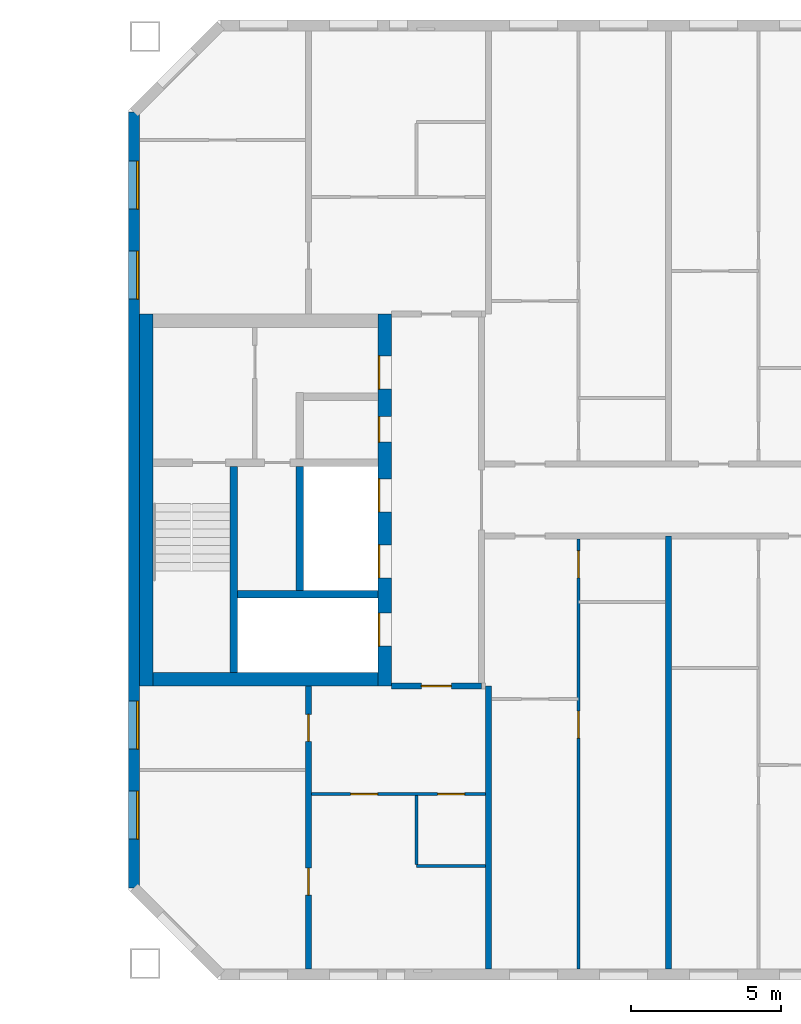
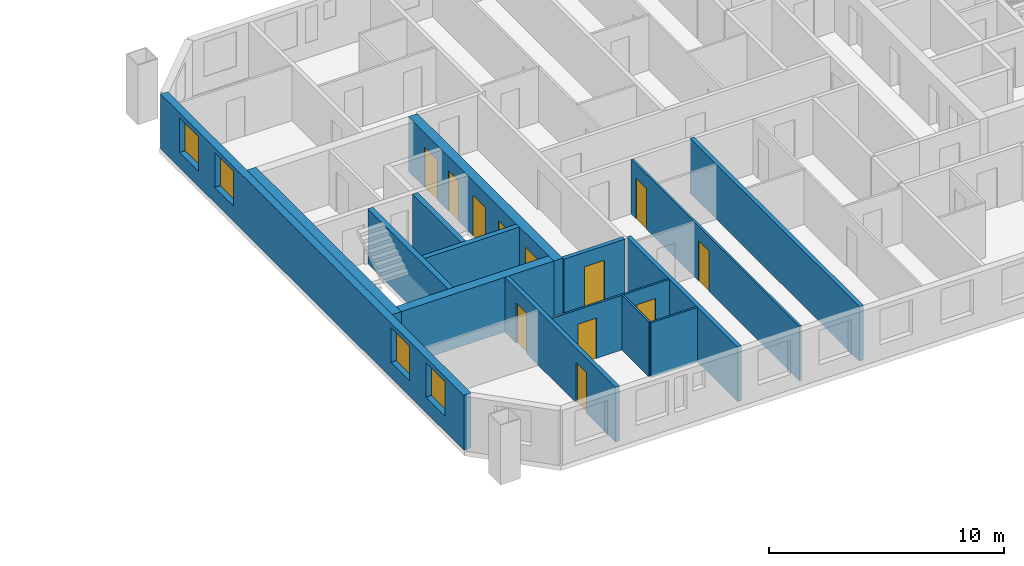
# One storey, part 9 of 16: 15 walls, 12 doors, 4 windows, 16 openings.
"""IFC4 building model written with IfcOpenShell, lengths in metres."""

from ifc_helpers import new_model, si_unit, direction, frame, frame_2d, origin, place, context, subcontext, project, spatial, rectangle, extrude, material, layer, layer_set, type_object, element, fill, save


model = new_model("IFC4")

# Units and contexts
model_context = context("Model", 3, precision=1e-05, world=origin(), true_north=direction((0.0, 1.0)))
body_context = subcontext(model_context, "Body", "Model", "MODEL_VIEW")
ifc_project = project(units=[si_unit("LENGTHUNIT", "METRE"), si_unit("AREAUNIT", "SQUARE_METRE"), si_unit("VOLUMEUNIT", "CUBIC_METRE"), si_unit("PLANEANGLEUNIT", "RADIAN"), si_unit("MASSUNIT", "GRAM", prefix="KILO")], contexts=[model_context])

# Site, building, storey
site_placement = place(None, origin())
site = spatial("IfcSite", under=ifc_project, at=site_placement, CompositionType="ELEMENT")
building_placement = place(site_placement, origin())
building = spatial("IfcBuilding", under=site, at=building_placement, Name="Tuart Gate Housing", CompositionType="ELEMENT")
storey_placement = place(building_placement, frame((0.0, 0.0, 182.0)))
storey = spatial("IfcBuildingStorey", under=building, at=storey_placement, Name="L51", CompositionType="ELEMENT", Elevation=182.0)

# Wall, openings, windows
ifc_material_1 = material(Name="Brick", Category="masonry")
ifc_layer_1 = layer(ifc_material_1, 0.360107421875)
ifc_layer_set_1 = layer_set([ifc_layer_1], Name="Brick pier and spandrel wall 360")
wall_type_1 = type_object("IfcWallType", Name="Brick pier and spandrel wall 360", PredefinedType="STANDARD", material=ifc_layer_set_1)
wall_1_placement = place(storey_placement, frame((131.179931640625, 82.92529296875, 0.0), z_axis=(0.0, 0.0, 1.0), x_axis=(0.0, -1.0, 0.0)))
wall_1 = element("IfcWall", 1, at=wall_1_placement, inside=storey, type_object=wall_type_1, Name="External wall B-W L51", PredefinedType="STANDARD", context=body_context, shape_type="SweptSolid", body=[
    extrude(rectangle(XDim=25.850830078125, YDim=0.360107421875, at=frame_2d((12.92529296875, 0.0))), origin(), (0.0, 0.0, 1.0), 2.85009765625),
])
opening_1_placement = place(wall_1_placement, frame((1.62548828125, 0.0, 0.800048828125)))
opening_1 = element("IfcOpeningElement", 2, at=opening_1_placement, cuts=wall_1, Name="Opening W1", PredefinedType="OPENING", context=body_context, shape_type="SweptSolid", body=[
    extrude(rectangle(XDim=1.60009765625, YDim=1.800048828125, at=frame_2d((0.800048828125, 0.89990234375))), frame((0.0, 0.18994140625, 0.0), z_axis=(0.0, -1.0, 0.0), x_axis=(1.0, 0.0, 0.0)), (0.0, 0.0, 1.0), 0.380126953125),
])
opening_2_placement = place(wall_1_placement, frame((4.62548828125, 0.0, 0.800048828125)))
opening_2 = element("IfcOpeningElement", 3, at=opening_2_placement, cuts=wall_1, Name="Opening W1", PredefinedType="OPENING", context=body_context, shape_type="SweptSolid", body=[
    extrude(rectangle(XDim=1.60009765625, YDim=1.800048828125, at=frame_2d((0.800048828125, 0.89990234375))), frame((0.0, 0.18994140625, 0.0), z_axis=(0.0, -1.0, 0.0), x_axis=(1.0, 0.0, 0.0)), (0.0, 0.0, 1.0), 0.380126953125),
])
opening_3_placement = place(wall_1_placement, frame((19.62548828125, 0.0, 0.800048828125)))
opening_3 = element("IfcOpeningElement", 4, at=opening_3_placement, cuts=wall_1, Name="Opening W1", PredefinedType="OPENING", context=body_context, shape_type="SweptSolid", body=[
    extrude(rectangle(XDim=1.60009765625, YDim=1.800048828125, at=frame_2d((0.800048828125, 0.89990234375))), frame((0.0, 0.18994140625, 0.0), z_axis=(0.0, -1.0, 0.0), x_axis=(1.0, 0.0, 0.0)), (0.0, 0.0, 1.0), 0.380126953125),
])
opening_4_placement = place(wall_1_placement, frame((22.62548828125, 0.0, 0.800048828125)))
opening_4 = element("IfcOpeningElement", 5, at=opening_4_placement, cuts=wall_1, Name="Opening W1", PredefinedType="OPENING", context=body_context, shape_type="SweptSolid", body=[
    extrude(rectangle(XDim=1.60009765625, YDim=1.800048828125, at=frame_2d((0.800048828125, 0.89990234375))), frame((0.0, 0.18994140625, 0.0), z_axis=(0.0, -1.0, 0.0), x_axis=(1.0, 0.0, 0.0)), (0.0, 0.0, 1.0), 0.380126953125),
])
ifc_material_2 = material(Name="Aluminium frame with clear glass", Category="aluminium")
window_type = type_object("IfcWindowType", Name="Punched window 1600 x 1800", PartitioningType="SINGLE_PANEL", PredefinedType="WINDOW", material=ifc_material_2)
window_1_placement = place(opening_1_placement, origin())
window_1 = element("IfcWindow", 6, at=window_1_placement, inside=storey, type_object=window_type, Name="Window W1", OverallHeight=1.800048828125, OverallWidth=1.60009765625, PartitioningType="SINGLE_PANEL", PredefinedType="WINDOW", context=body_context, shape_type="SweptSolid", body=[
    extrude(rectangle(XDim=1.60009765625, YDim=1.800048828125, at=frame_2d((0.800048828125, 0.89990234375))), frame((0.0, 0.150146484375, 0.0), z_axis=(0.0, -1.0, 0.0), x_axis=(1.0, 0.0, 0.0)), (0.0, 0.0, 1.0), 0.06005859375),
])
fill(opening_1, window_1)
window_2_placement = place(opening_2_placement, origin())
window_2 = element("IfcWindow", 7, at=window_2_placement, inside=storey, type_object=window_type, Name="Window W1", OverallHeight=1.800048828125, OverallWidth=1.60009765625, PartitioningType="SINGLE_PANEL", PredefinedType="WINDOW", context=body_context, shape_type="SweptSolid", body=[
    extrude(rectangle(XDim=1.60009765625, YDim=1.800048828125, at=frame_2d((0.800048828125, 0.89990234375))), frame((0.0, 0.150146484375, 0.0), z_axis=(0.0, -1.0, 0.0), x_axis=(1.0, 0.0, 0.0)), (0.0, 0.0, 1.0), 0.06005859375),
])
fill(opening_2, window_2)
window_3_placement = place(opening_3_placement, origin())
window_3 = element("IfcWindow", 8, at=window_3_placement, inside=storey, type_object=window_type, Name="Window W1", OverallHeight=1.800048828125, OverallWidth=1.60009765625, PartitioningType="SINGLE_PANEL", PredefinedType="WINDOW", context=body_context, shape_type="SweptSolid", body=[
    extrude(rectangle(XDim=1.60009765625, YDim=1.800048828125, at=frame_2d((0.800048828125, 0.89990234375))), frame((0.0, 0.150146484375, 0.0), z_axis=(0.0, -1.0, 0.0), x_axis=(1.0, 0.0, 0.0)), (0.0, 0.0, 1.0), 0.06005859375),
])
fill(opening_3, window_3)
window_4_placement = place(opening_4_placement, origin())
window_4 = element("IfcWindow", 9, at=window_4_placement, inside=storey, type_object=window_type, Name="Window W1", OverallHeight=1.800048828125, OverallWidth=1.60009765625, PartitioningType="SINGLE_PANEL", PredefinedType="WINDOW", context=body_context, shape_type="SweptSolid", body=[
    extrude(rectangle(XDim=1.60009765625, YDim=1.800048828125, at=frame_2d((0.800048828125, 0.89990234375))), frame((0.0, 0.150146484375, 0.0), z_axis=(0.0, -1.0, 0.0), x_axis=(1.0, 0.0, 0.0)), (0.0, 0.0, 1.0), 0.06005859375),
])
fill(opening_4, window_4)

# Walls
ifc_material_3 = material(Name="Concrete C40", Category="concrete")
ifc_layer_2 = layer(ifc_material_3, 0.25)
ifc_layer_set_2 = layer_set([ifc_layer_2], Name="Core wall 250 C40")
wall_type_2 = type_object("IfcWallType", Name="Core wall 250 C40", PredefinedType="SHEAR", material=ifc_layer_set_2)
wall_2_placement = place(storey_placement, frame((139.31005859375, 66.85009765625, 0.0), z_axis=(0.0, 0.0, 1.0), x_axis=(-1.0, 0.0, 0.0)))
element("IfcWall", 10, at=wall_2_placement, inside=storey, type_object=wall_type_2, Name="Core wall BG.1", PredefinedType="SHEAR", context=body_context, shape_type="SweptSolid", body=[
    extrude(rectangle(XDim=4.675048828125, YDim=0.25, at=frame_2d((2.33740234375, 0.0))), origin(), (0.0, 0.0, 1.0), 2.85009765625),
])
wall_3_placement = place(storey_placement, frame((136.7099609375, 66.97509765625, 0.0), z_axis=(0.0, 0.0, 1.0), x_axis=(0.0, 1.0, 0.0)))
element("IfcWall", 11, at=wall_3_placement, inside=storey, type_object=wall_type_2, Name="Core wall BG.4", PredefinedType="SHEAR", context=body_context, shape_type="SweptSolid", body=[
    extrude(rectangle(XDim=4.14990234375, YDim=0.25, at=frame_2d((2.074951171875, 0.0))), origin(), (0.0, 0.0, 1.0), 2.85009765625),
])
wall_4_placement = place(storey_placement, frame((134.510009765625, 64.25, 0.0), z_axis=(0.0, 0.0, 1.0), x_axis=(0.0, 1.0, 0.0)))
element("IfcWall", 12, at=wall_4_placement, inside=storey, type_object=wall_type_2, Name="Core wall BG.7", PredefinedType="SHEAR", context=body_context, shape_type="SweptSolid", body=[
    extrude(rectangle(XDim=6.875, YDim=0.25, at=frame_2d((3.4375, 0.0))), origin(), (0.0, 0.0, 1.0), 2.85009765625),
])

# Wall, openings, doors
ifc_material_4 = material(Name="Concrete C40", Category="concrete")
ifc_layer_3 = layer(ifc_material_4, 0.449951171875)
ifc_layer_set_3 = layer_set([ifc_layer_3], Name="Core wall 450 C40")
wall_type_3 = type_object("IfcWallType", Name="Core wall 450 C40", PredefinedType="SHEAR", material=ifc_layer_set_3)
wall_5_placement = place(storey_placement, frame((139.534912109375, 63.800048828125, 0.0), z_axis=(0.0, 0.0, 1.0), x_axis=(0.0, 1.0, 0.0)))
wall_5 = element("IfcWall", 13, at=wall_5_placement, inside=storey, type_object=wall_type_3, Name="Core wall BG front", PredefinedType="SHEAR", context=body_context, shape_type="SweptSolid", body=[
    extrude(rectangle(XDim=12.39990234375, YDim=0.449951171875, at=frame_2d((6.199951171875, 0.0))), origin(), (0.0, 0.0, 1.0), 2.85009765625),
])
opening_5_placement = place(wall_5_placement, frame((1.324951171875, 0.0, 0.0)))
opening_5 = element("IfcOpeningElement", 14, at=opening_5_placement, cuts=wall_5, Name="Opening LD-FB1", PredefinedType="OPENING", context=body_context, shape_type="SweptSolid", body=[
    extrude(rectangle(XDim=1.10009765625, YDim=2.10009765625, at=frame_2d((0.550048828125, 1.050048828125))), frame((0.0, 0.23486328125, 0.0), z_axis=(0.0, -1.0, 0.0), x_axis=(1.0, 0.0, 0.0)), (0.0, 0.0, 1.0), 0.469970703125),
])
opening_6_placement = place(wall_5_placement, frame((3.60009765625, 0.0, 0.0)))
opening_6 = element("IfcOpeningElement", 15, at=opening_6_placement, cuts=wall_5, Name="Opening LD-LB1", PredefinedType="OPENING", context=body_context, shape_type="SweptSolid", body=[
    extrude(rectangle(XDim=1.10009765625, YDim=2.10009765625, at=frame_2d((0.550048828125, 1.050048828125))), frame((0.0, 0.23486328125, 0.0), z_axis=(0.0, -1.0, 0.0), x_axis=(1.0, 0.0, 0.0)), (0.0, 0.0, 1.0), 0.469970703125),
])
opening_7_placement = place(wall_5_placement, frame((5.800048828125, 0.0, 0.0)))
opening_7 = element("IfcOpeningElement", 16, at=opening_7_placement, cuts=wall_5, Name="Opening LD-LB2", PredefinedType="OPENING", context=body_context, shape_type="SweptSolid", body=[
    extrude(rectangle(XDim=1.10009765625, YDim=2.10009765625, at=frame_2d((0.550048828125, 1.050048828125))), frame((0.0, 0.23486328125, 0.0), z_axis=(0.0, -1.0, 0.0), x_axis=(1.0, 0.0, 0.0)), (0.0, 0.0, 1.0), 0.469970703125),
])
opening_8_placement = place(wall_5_placement, frame((9.89990234375, 0.0, 0.0)))
opening_8 = element("IfcOpeningElement", 17, at=opening_8_placement, cuts=wall_5, Name="Opening D1813", PredefinedType="OPENING", context=body_context, shape_type="SweptSolid", body=[
    extrude(rectangle(XDim=1.10009765625, YDim=2.10009765625, at=frame_2d((0.550048828125, 1.050048828125))), frame((0.0, 0.23486328125, 0.0), z_axis=(0.0, -1.0, 0.0), x_axis=(1.0, 0.0, 0.0)), (0.0, 0.0, 1.0), 0.469970703125),
])
opening_9_placement = place(wall_5_placement, frame((8.125, 0.0, 0.0)))
opening_9 = element("IfcOpeningElement", 18, at=opening_9_placement, cuts=wall_5, Name="Opening D1814", PredefinedType="OPENING", context=body_context, shape_type="SweptSolid", body=[
    extrude(rectangle(XDim=0.85009765625, YDim=2.10009765625, at=frame_2d((0.425048828125, 1.050048828125))), frame((0.0, 0.23486328125, 0.0), z_axis=(0.0, -1.0, 0.0), x_axis=(1.0, 0.0, 0.0)), (0.0, 0.0, 1.0), 0.469970703125),
])
ifc_material_5 = material(Name="Stainless steel", Category="steel")
door_type_1 = type_object("IfcDoorType", Name="Landing door 1100 x 2100", OperationType="DOUBLE_DOOR_SLIDING", PredefinedType="DOOR", material=ifc_material_5)
door_1_placement = place(opening_5_placement, origin())
door_1 = element("IfcDoor", 19, at=door_1_placement, inside=storey, type_object=door_type_1, Name="Lift landing door FB1", OperationType="DOUBLE_DOOR_SLIDING", OverallHeight=2.10009765625, OverallWidth=1.10009765625, PredefinedType="DOOR", context=body_context, shape_type="SweptSolid", body=[
    extrude(rectangle(XDim=1.10009765625, YDim=2.10009765625, at=frame_2d((0.550048828125, 1.050048828125))), frame((0.0, 0.2099609375, 0.0), z_axis=(0.0, -1.0, 0.0), x_axis=(1.0, 0.0, 0.0)), (0.0, 0.0, 1.0), 0.050048828125),
])
fill(opening_5, door_1)
door_2_placement = place(opening_6_placement, origin())
door_2 = element("IfcDoor", 20, at=door_2_placement, inside=storey, type_object=door_type_1, Name="Lift landing door LB1", OperationType="DOUBLE_DOOR_SLIDING", OverallHeight=2.10009765625, OverallWidth=1.10009765625, PredefinedType="DOOR", context=body_context, shape_type="SweptSolid", body=[
    extrude(rectangle(XDim=1.10009765625, YDim=2.10009765625, at=frame_2d((0.550048828125, 1.050048828125))), frame((0.0, 0.2099609375, 0.0), z_axis=(0.0, -1.0, 0.0), x_axis=(1.0, 0.0, 0.0)), (0.0, 0.0, 1.0), 0.050048828125),
])
fill(opening_6, door_2)
door_3_placement = place(opening_7_placement, origin())
door_3 = element("IfcDoor", 21, at=door_3_placement, inside=storey, type_object=door_type_1, Name="Lift landing door LB2", OperationType="DOUBLE_DOOR_SLIDING", OverallHeight=2.10009765625, OverallWidth=1.10009765625, PredefinedType="DOOR", context=body_context, shape_type="SweptSolid", body=[
    extrude(rectangle(XDim=1.10009765625, YDim=2.10009765625, at=frame_2d((0.550048828125, 1.050048828125))), frame((0.0, 0.2099609375, 0.0), z_axis=(0.0, -1.0, 0.0), x_axis=(1.0, 0.0, 0.0)), (0.0, 0.0, 1.0), 0.050048828125),
])
fill(opening_7, door_3)
ifc_material_6 = material(Name="Steel fire door", Category="steel")
door_type_2 = type_object("IfcDoorType", Name="Lobby door 1100 x 2100", OperationType="SINGLE_SWING_LEFT", PredefinedType="DOOR", material=ifc_material_6)
door_4_placement = place(opening_8_placement, origin())
door_4 = element("IfcDoor", 22, at=door_4_placement, inside=storey, type_object=door_type_2, Name="Lobby entry door BG.EN", OperationType="SINGLE_SWING_LEFT", OverallHeight=2.10009765625, OverallWidth=1.10009765625, PredefinedType="DOOR", context=body_context, shape_type="SweptSolid", body=[
    extrude(rectangle(XDim=1.10009765625, YDim=2.10009765625, at=frame_2d((0.550048828125, 1.050048828125))), frame((0.0, 0.2099609375, 0.0), z_axis=(0.0, -1.0, 0.0), x_axis=(1.0, 0.0, 0.0)), (0.0, 0.0, 1.0), 0.050048828125),
])
fill(opening_8, door_4)
ifc_material_7 = material(Name="Steel fire door", Category="steel")
door_type_3 = type_object("IfcDoorType", Name="Service door 850 x 2100", OperationType="SINGLE_SWING_LEFT", PredefinedType="DOOR", material=ifc_material_7)
door_5_placement = place(opening_9_placement, origin())
door_5 = element("IfcDoor", 23, at=door_5_placement, inside=storey, type_object=door_type_3, Name="Service room door BG.T1", OperationType="SINGLE_SWING_LEFT", OverallHeight=2.10009765625, OverallWidth=0.85009765625, PredefinedType="DOOR", context=body_context, shape_type="SweptSolid", body=[
    extrude(rectangle(XDim=0.85009765625, YDim=2.10009765625, at=frame_2d((0.425048828125, 1.050048828125))), frame((0.0, 0.2099609375, 0.0), z_axis=(0.0, -1.0, 0.0), x_axis=(1.0, 0.0, 0.0)), (0.0, 0.0, 1.0), 0.050048828125),
])
fill(opening_9, door_5)

# Walls
wall_6_placement = place(storey_placement, frame((131.5849609375, 63.800048828125, 0.0), z_axis=(0.0, 0.0, 1.0), x_axis=(0.0, 1.0, 0.0)))
element("IfcWall", 24, at=wall_6_placement, inside=storey, type_object=wall_type_3, Name="Core wall BG back", PredefinedType="SHEAR", context=body_context, shape_type="SweptSolid", body=[
    extrude(rectangle(XDim=12.39990234375, YDim=0.449951171875, at=frame_2d((6.199951171875, 0.0))), origin(), (0.0, 0.0, 1.0), 2.85009765625),
])
wall_7_placement = place(storey_placement, frame((139.31005859375, 64.02490234375, 0.0), z_axis=(0.0, 0.0, 1.0), x_axis=(-1.0, 0.0, 0.0)))
element("IfcWall", 25, at=wall_7_placement, inside=storey, type_object=wall_type_3, Name="Core wall BG south", PredefinedType="SHEAR", context=body_context, shape_type="SweptSolid", body=[
    extrude(rectangle(XDim=7.5, YDim=0.449951171875, at=frame_2d((3.75, 0.0))), origin(), (0.0, 0.0, 1.0), 2.85009765625),
])

# Wall, opening, door
ifc_material_8 = material(Name="Concrete masonry 15 MPa", Category="masonry")
ifc_layer_4 = layer(ifc_material_8, 0.199951171875)
ifc_layer_set_4 = layer_set([ifc_layer_4], Name="Enclosure wall masonry 200")
wall_type_4 = type_object("IfcWallType", Name="Enclosure wall masonry 200", PredefinedType="PARTITIONING", material=ifc_layer_set_4)
wall_8_placement = place(storey_placement, frame((139.760009765625, 63.800048828125, 0.0), z_axis=(0.0, 0.0, 1.0), x_axis=(1.0, 0.0, 0.0)))
wall_8 = element("IfcWall", 26, at=wall_8_placement, inside=storey, type_object=wall_type_4, Name="Enclosure wall masonry 200", PredefinedType="PARTITIONING", context=body_context, shape_type="SweptSolid", body=[
    extrude(rectangle(XDim=3.0, YDim=0.199951171875, at=frame_2d((1.5, 0.0))), origin(), (0.0, 0.0, 1.0), 2.85009765625),
])
opening_10_placement = place(wall_8_placement, frame((1.0, 0.0, 0.0)))
opening_10 = element("IfcOpeningElement", 27, at=opening_10_placement, cuts=wall_8, Name="Opening D1824", PredefinedType="OPENING", context=body_context, shape_type="SweptSolid", body=[
    extrude(rectangle(XDim=1.0, YDim=2.10009765625, at=frame_2d((0.5, 1.050048828125))), frame((0.0, 0.10986328125, 0.0), z_axis=(0.0, -1.0, 0.0), x_axis=(1.0, 0.0, 0.0)), (0.0, 0.0, 1.0), 0.219970703125),
])
ifc_material_9 = material(Name="Timber door leaf in steel frame", Category="steel")
door_type_4 = type_object("IfcDoorType", Name="Flat entrance door 1000", OperationType="SINGLE_SWING_LEFT", PredefinedType="DOOR", material=ifc_material_9)
door_6_placement = place(opening_10_placement, frame((1.0, 0.0, 0.0), z_axis=(0.0, 0.0, 1.0), x_axis=(-1.0, 0.0, 0.0)))
door_6 = element("IfcDoor", 28, at=door_6_placement, inside=storey, type_object=door_type_4, Name="Flat entrance door", OperationType="SINGLE_SWING_LEFT", OverallHeight=2.10009765625, OverallWidth=1.0, PredefinedType="DOOR", context=body_context, shape_type="SweptSolid", body=[
    extrude(rectangle(XDim=1.0, YDim=2.10009765625, at=frame_2d((0.5, 1.050048828125))), frame((0.0, 0.025146484375, 0.0), z_axis=(0.0, -1.0, 0.0), x_axis=(1.0, 0.0, 0.0)), (0.0, 0.0, 1.0), 0.050048828125),
])
fill(opening_10, door_6)

# Wall
ifc_material_10 = material(Name="Gypsum board on steel studs", Category="steel")
ifc_layer_5 = layer(ifc_material_10, 0.10009765625)
ifc_layer_set_5 = layer_set([ifc_layer_5], Name="Partition 100")
wall_type_5 = type_object("IfcWallType", Name="Partition 100", PredefinedType="PARTITIONING", material=ifc_layer_set_5)
wall_9_placement = place(storey_placement, frame((140.60009765625, 57.800048828125, 0.0), z_axis=(0.0, 0.0, 1.0), x_axis=(1.0, 0.0, 0.0)))
element("IfcWall", 29, at=wall_9_placement, inside=storey, type_object=wall_type_5, Name="Partition 100", PredefinedType="PARTITIONING", context=body_context, shape_type="SweptSolid", body=[
    extrude(rectangle(XDim=2.2998046875, YDim=0.10009765625, at=frame_2d((1.14990234375, 0.0))), origin(), (0.0, 0.0, 1.0), 2.85009765625),
])

# Wall, openings, doors
wall_10_placement = place(storey_placement, frame((137.10009765625, 60.199951171875, 0.0), z_axis=(0.0, 0.0, 1.0), x_axis=(1.0, 0.0, 0.0)))
wall_10 = element("IfcWall", 30, at=wall_10_placement, inside=storey, type_object=wall_type_5, Name="Partition 100", PredefinedType="PARTITIONING", context=body_context, shape_type="SweptSolid", body=[
    extrude(rectangle(XDim=5.7998046875, YDim=0.10009765625, at=frame_2d((2.89990234375, 0.0))), origin(), (0.0, 0.0, 1.0), 2.85009765625),
])
opening_11_placement = place(wall_10_placement, frame((1.300048828125, 0.0, 0.0)))
opening_11 = element("IfcOpeningElement", 31, at=opening_11_placement, cuts=wall_10, Name="Opening D1835", PredefinedType="OPENING", context=body_context, shape_type="SweptSolid", body=[
    extrude(rectangle(XDim=0.89990234375, YDim=2.10009765625, at=frame_2d((0.449951171875, 1.050048828125))), frame((0.0, 0.06005859375, 0.0), z_axis=(0.0, -1.0, 0.0), x_axis=(1.0, 0.0, 0.0)), (0.0, 0.0, 1.0), 0.1201171875),
])
opening_12_placement = place(wall_10_placement, frame((4.199951171875, 0.0, 0.0)))
opening_12 = element("IfcOpeningElement", 32, at=opening_12_placement, cuts=wall_10, Name="Opening D1834", PredefinedType="OPENING", context=body_context, shape_type="SweptSolid", body=[
    extrude(rectangle(XDim=0.89990234375, YDim=2.10009765625, at=frame_2d((0.449951171875, 1.050048828125))), frame((0.0, 0.06005859375, 0.0), z_axis=(0.0, -1.0, 0.0), x_axis=(1.0, 0.0, 0.0)), (0.0, 0.0, 1.0), 0.1201171875),
])
ifc_material_11 = material(Name="Timber door leaf in steel frame", Category="steel")
door_type_5 = type_object("IfcDoorType", Name="Bathroom door 900 RH", OperationType="SINGLE_SWING_RIGHT", PredefinedType="DOOR", material=ifc_material_11)
door_7_placement = place(opening_12_placement, frame((0.89990234375, 0.0, 0.0), z_axis=(0.0, 0.0, 1.0), x_axis=(-1.0, 0.0, 0.0)))
door_7 = element("IfcDoor", 33, at=door_7_placement, inside=storey, type_object=door_type_5, Name="Bathroom door", OperationType="SINGLE_SWING_RIGHT", OverallHeight=2.10009765625, OverallWidth=0.89990234375, PredefinedType="DOOR", context=body_context, shape_type="SweptSolid", body=[
    extrude(rectangle(XDim=0.89990234375, YDim=2.10009765625, at=frame_2d((0.449951171875, 1.050048828125))), frame((0.0, 0.025146484375, 0.0), z_axis=(0.0, -1.0, 0.0), x_axis=(1.0, 0.0, 0.0)), (0.0, 0.0, 1.0), 0.050048828125),
])
fill(opening_12, door_7)
ifc_material_12 = material(Name="Timber door leaf in steel frame", Category="steel")
door_type_6 = type_object("IfcDoorType", Name="Internal door 900", OperationType="SINGLE_SWING_LEFT", PredefinedType="DOOR", material=ifc_material_12)
door_8_placement = place(opening_11_placement, origin())
door_8 = element("IfcDoor", 34, at=door_8_placement, inside=storey, type_object=door_type_6, Name="Internal door", OperationType="SINGLE_SWING_LEFT", OverallHeight=2.10009765625, OverallWidth=0.89990234375, PredefinedType="DOOR", context=body_context, shape_type="SweptSolid", body=[
    extrude(rectangle(XDim=0.89990234375, YDim=2.10009765625, at=frame_2d((0.449951171875, 1.050048828125))), frame((0.0, 0.02490234375, 0.0), z_axis=(0.0, -1.0, 0.0), x_axis=(1.0, 0.0, 0.0)), (0.0, 0.0, 1.0), 0.050048828125),
])
fill(opening_11, door_8)

# Wall
wall_11_placement = place(storey_placement, frame((140.60009765625, 57.85009765625, 0.0), z_axis=(0.0, 0.0, 1.0), x_axis=(0.0, 1.0, 0.0)))
element("IfcWall", 35, at=wall_11_placement, inside=storey, type_object=wall_type_5, Name="Partition 100", PredefinedType="PARTITIONING", context=body_context, shape_type="SweptSolid", body=[
    extrude(rectangle(XDim=2.2998046875, YDim=0.10009765625, at=frame_2d((1.14990234375, 0.0))), origin(), (0.0, 0.0, 1.0), 2.85009765625),
])

# Wall, openings, doors
wall_12_placement = place(storey_placement, frame((146.0, 54.360107421875, 0.0), z_axis=(0.0, 0.0, 1.0), x_axis=(0.0, 1.0, 0.0)))
wall_12 = element("IfcWall", 36, at=wall_12_placement, inside=storey, type_object=wall_type_5, Name="Partition 100", PredefinedType="PARTITIONING", context=body_context, shape_type="SweptSolid", body=[
    extrude(rectangle(XDim=14.33984375, YDim=0.10009765625, at=frame_2d((7.169921875, 0.0))), origin(), (0.0, 0.0, 1.0), 2.85009765625),
])
opening_13_placement = place(wall_12_placement, frame((7.699951171875, 0.0, 0.0)))
opening_13 = element("IfcOpeningElement", 37, at=opening_13_placement, cuts=wall_12, Name="Opening D1828", PredefinedType="OPENING", context=body_context, shape_type="SweptSolid", body=[
    extrude(rectangle(XDim=0.89990234375, YDim=2.10009765625, at=frame_2d((0.449951171875, 1.050048828125))), frame((0.0, 0.06005859375, 0.0), z_axis=(0.0, -1.0, 0.0), x_axis=(1.0, 0.0, 0.0)), (0.0, 0.0, 1.0), 0.1201171875),
])
opening_14_placement = place(wall_12_placement, frame((13.0400390625, 0.0, 0.0)))
opening_14 = element("IfcOpeningElement", 38, at=opening_14_placement, cuts=wall_12, Name="Opening D1827", PredefinedType="OPENING", context=body_context, shape_type="SweptSolid", body=[
    extrude(rectangle(XDim=0.89990234375, YDim=2.10009765625, at=frame_2d((0.449951171875, 1.050048828125))), frame((0.0, 0.06005859375, 0.0), z_axis=(0.0, -1.0, 0.0), x_axis=(1.0, 0.0, 0.0)), (0.0, 0.0, 1.0), 0.1201171875),
])
ifc_material_13 = material(Name="Timber door leaf in steel frame", Category="steel")
door_type_7 = type_object("IfcDoorType", Name="Bathroom door 900", OperationType="SINGLE_SWING_LEFT", PredefinedType="DOOR", material=ifc_material_13)
door_9_placement = place(opening_14_placement, frame((0.89990234375, 0.0, 0.0), z_axis=(0.0, 0.0, 1.0), x_axis=(-1.0, 0.0, 0.0)))
door_9 = element("IfcDoor", 39, at=door_9_placement, inside=storey, type_object=door_type_7, Name="Bathroom door", OperationType="SINGLE_SWING_LEFT", OverallHeight=2.10009765625, OverallWidth=0.89990234375, PredefinedType="DOOR", context=body_context, shape_type="SweptSolid", body=[
    extrude(rectangle(XDim=0.89990234375, YDim=2.10009765625, at=frame_2d((0.449951171875, 1.050048828125))), frame((0.0, 0.025146484375, 0.0), z_axis=(0.0, -1.0, 0.0), x_axis=(1.0, 0.0, 0.0)), (0.0, 0.0, 1.0), 0.050048828125),
])
fill(opening_14, door_9)
door_10_placement = place(opening_13_placement, frame((0.89990234375, 0.0, 0.0), z_axis=(0.0, 0.0, 1.0), x_axis=(-1.0, 0.0, 0.0)))
door_10 = element("IfcDoor", 40, at=door_10_placement, inside=storey, type_object=door_type_6, Name="Internal door", OperationType="SINGLE_SWING_LEFT", OverallHeight=2.10009765625, OverallWidth=0.89990234375, PredefinedType="DOOR", context=body_context, shape_type="SweptSolid", body=[
    extrude(rectangle(XDim=0.89990234375, YDim=2.10009765625, at=frame_2d((0.449951171875, 1.050048828125))), frame((0.0, 0.025146484375, 0.0), z_axis=(0.0, -1.0, 0.0), x_axis=(1.0, 0.0, 0.0)), (0.0, 0.0, 1.0), 0.050048828125),
])
fill(opening_13, door_10)

ifc_material_14 = material(Name="Concrete C40", Category="concrete")
ifc_layer_6 = layer(ifc_material_14, 0.199951171875)
ifc_layer_set_6 = layer_set([ifc_layer_6], Name="Party wall concrete C40 200")
wall_type_6 = type_object("IfcWallType", Name="Party wall concrete C40 200", PredefinedType="SOLIDWALL", material=ifc_layer_set_6)
wall_13_placement = place(storey_placement, frame((137.0, 54.360107421875, 0.0), z_axis=(0.0, 0.0, 1.0), x_axis=(0.0, 1.0, 0.0)))
wall_13 = element("IfcWall", 41, at=wall_13_placement, inside=storey, type_object=wall_type_6, Name="Party wall concrete C40 200", PredefinedType="SOLIDWALL", context=body_context, shape_type="SweptSolid", body=[
    extrude(rectangle(XDim=9.43994140625, YDim=0.199951171875, at=frame_2d((4.719970703125, 0.0))), origin(), (0.0, 0.0, 1.0), 2.85009765625),
])
opening_15_placement = place(wall_13_placement, frame((2.469970703125, 0.0, 0.0)))
opening_15 = element("IfcOpeningElement", 42, at=opening_15_placement, cuts=wall_13, Name="Opening D1838", PredefinedType="OPENING", context=body_context, shape_type="SweptSolid", body=[
    extrude(rectangle(XDim=0.89990234375, YDim=2.10009765625, at=frame_2d((0.449951171875, 1.050048828125))), frame((0.0, 0.10986328125, 0.0), z_axis=(0.0, -1.0, 0.0), x_axis=(1.0, 0.0, 0.0)), (0.0, 0.0, 1.0), 0.219970703125),
])
opening_16_placement = place(wall_13_placement, frame((7.590087890625, 0.0, 0.0)))
opening_16 = element("IfcOpeningElement", 43, at=opening_16_placement, cuts=wall_13, Name="Opening D1839", PredefinedType="OPENING", context=body_context, shape_type="SweptSolid", body=[
    extrude(rectangle(XDim=0.89990234375, YDim=2.10009765625, at=frame_2d((0.449951171875, 1.050048828125))), frame((0.0, 0.10986328125, 0.0), z_axis=(0.0, -1.0, 0.0), x_axis=(1.0, 0.0, 0.0)), (0.0, 0.0, 1.0), 0.219970703125),
])
door_11_placement = place(opening_15_placement, origin())
door_11 = element("IfcDoor", 44, at=door_11_placement, inside=storey, type_object=door_type_6, Name="Internal door", OperationType="SINGLE_SWING_LEFT", OverallHeight=2.10009765625, OverallWidth=0.89990234375, PredefinedType="DOOR", context=body_context, shape_type="SweptSolid", body=[
    extrude(rectangle(XDim=0.89990234375, YDim=2.10009765625, at=frame_2d((0.449951171875, 1.050048828125))), frame((0.0, 0.02490234375, 0.0), z_axis=(0.0, -1.0, 0.0), x_axis=(1.0, 0.0, 0.0)), (0.0, 0.0, 1.0), 0.050048828125),
])
fill(opening_15, door_11)
door_12_placement = place(opening_16_placement, origin())
door_12 = element("IfcDoor", 45, at=door_12_placement, inside=storey, type_object=door_type_6, Name="Internal door", OperationType="SINGLE_SWING_LEFT", OverallHeight=2.10009765625, OverallWidth=0.89990234375, PredefinedType="DOOR", context=body_context, shape_type="SweptSolid", body=[
    extrude(rectangle(XDim=0.89990234375, YDim=2.10009765625, at=frame_2d((0.449951171875, 1.050048828125))), frame((0.0, 0.02490234375, 0.0), z_axis=(0.0, -1.0, 0.0), x_axis=(1.0, 0.0, 0.0)), (0.0, 0.0, 1.0), 0.050048828125),
])
fill(opening_16, door_12)

# Walls
wall_14_placement = place(storey_placement, frame((143.0, 54.360107421875, 0.0), z_axis=(0.0, 0.0, 1.0), x_axis=(0.0, 1.0, 0.0)))
element("IfcWall", 46, at=wall_14_placement, inside=storey, type_object=wall_type_6, Name="Party wall concrete C40 200", PredefinedType="SOLIDWALL", context=body_context, shape_type="SweptSolid", body=[
    extrude(rectangle(XDim=9.43994140625, YDim=0.199951171875, at=frame_2d((4.719970703125, 0.0))), origin(), (0.0, 0.0, 1.0), 2.85009765625),
])
wall_15_placement = place(storey_placement, frame((149.0, 54.360107421875, 0.0), z_axis=(0.0, 0.0, 1.0), x_axis=(0.0, 1.0, 0.0)))
element("IfcWall", 47, at=wall_15_placement, inside=storey, type_object=wall_type_6, Name="Party wall concrete C40 200", PredefinedType="SOLIDWALL", context=body_context, shape_type="SweptSolid", body=[
    extrude(rectangle(XDim=14.43994140625, YDim=0.199951171875, at=frame_2d((7.219970703125, 0.0))), origin(), (0.0, 0.0, 1.0), 2.85009765625),
])

save(model, "model.ifc")
